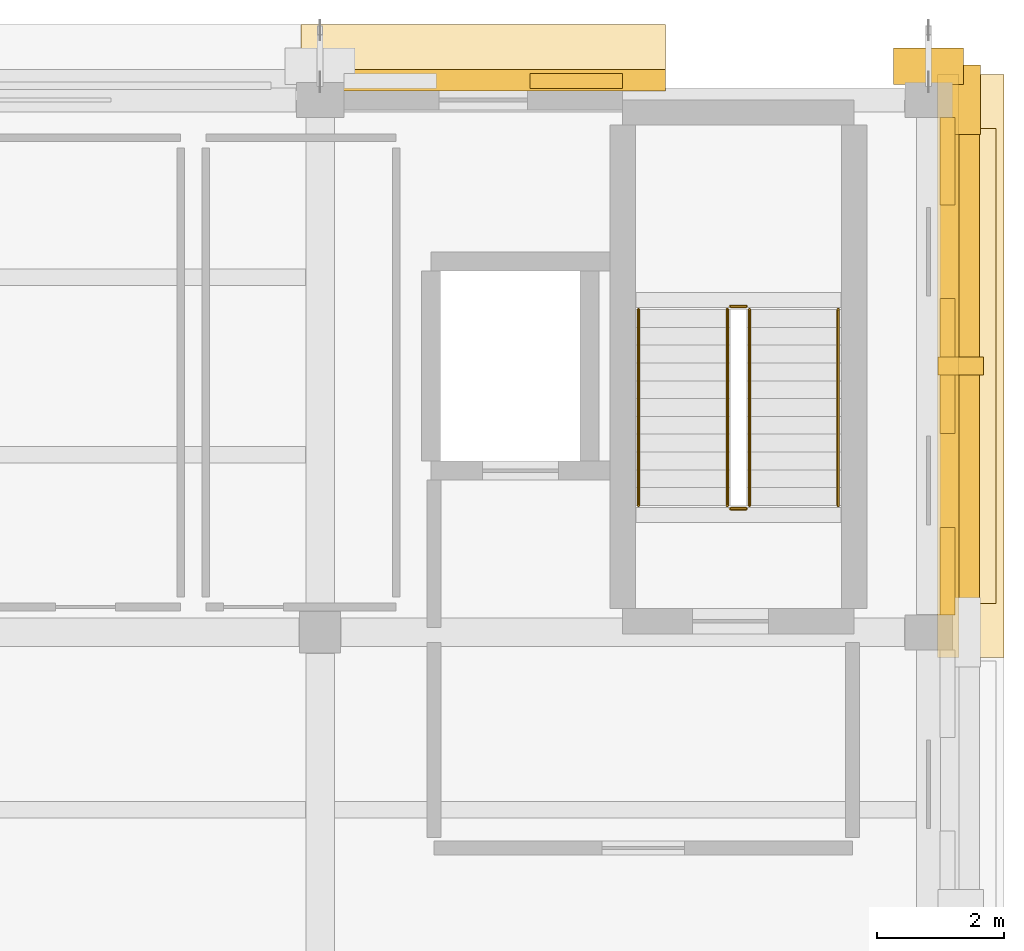
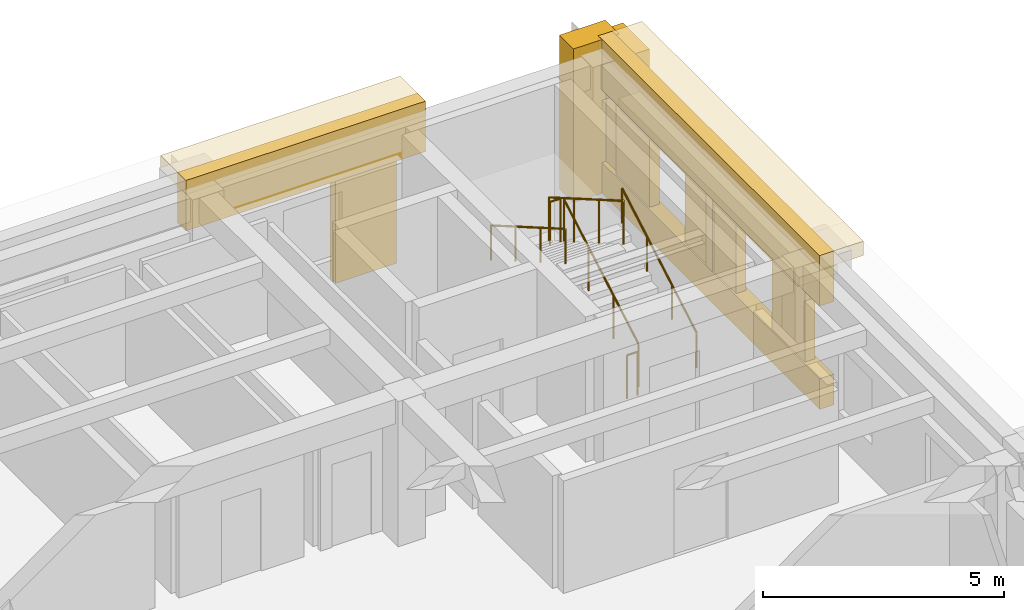
# One storey, part 9 of 9: 13 coverings, 6 railings, 1 shading device.
"""IFC4 building model written with IfcOpenShell, lengths in metres."""

from ifc_helpers import new_model, si_unit, direction, frame, origin, origin_2d, place, context, subcontext, project, spatial, rectangle, circle, extrude, material, layer, layer_set, type_object, element, save


model = new_model("IFC4")

# Units and contexts
model_context = context("Model", 3, precision=1e-05, world=origin(), true_north=direction((0.0, 1.0)))
body_context = subcontext(model_context, "Body", "Model", "MODEL_VIEW")
ifc_project = project(units=[si_unit("LENGTHUNIT", "METRE"), si_unit("AREAUNIT", "SQUARE_METRE"), si_unit("VOLUMEUNIT", "CUBIC_METRE"), si_unit("PLANEANGLEUNIT", "RADIAN"), si_unit("MASSUNIT", "GRAM", prefix="KILO")], contexts=[model_context])

# Site, building, storey
site_placement = place(None, origin())
site = spatial("IfcSite", under=ifc_project, at=site_placement, CompositionType="ELEMENT")
building_placement = place(site_placement, origin())
building = spatial("IfcBuilding", under=site, at=building_placement, Name="Bempovik Park Faculty of Sciences", CompositionType="ELEMENT")
storey_placement = place(building_placement, frame((0.0, 0.0, 46.199951171875)))
storey = spatial("IfcBuildingStorey", under=building, at=storey_placement, Name="L11", CompositionType="ELEMENT", Elevation=46.199951171875)

# Coverings
ifc_material_1 = material(Name="Precast concrete C40/50", Category="concrete")
ifc_layer_1 = layer(ifc_material_1, 0.179931640625)
ifc_layer_set_1 = layer_set([ifc_layer_1], Name="Precast concrete C40/50")
covering_type_1 = type_object("IfcCoveringType", Name="CL-02 Classical Cornice Band 180mm", PredefinedType="CLADDING", material=ifc_layer_set_1)
covering_1_placement = place(storey_placement, frame((108.6650390625, 115.199951171875, 3.5400390625), z_axis=(0.0, 0.0, 1.0), x_axis=(1.0, 0.0, 0.0)))
element("IfcCovering", 1, at=covering_1_placement, inside=storey, type_object=covering_type_1, Name="L11 Classical Projecting Dentil Cornice EW-L11-11316", PredefinedType="CLADDING", context=body_context, shape_type="SweptSolid", body=[
    extrude(rectangle(XDim=1.050048828125, YDim=9.196044921875, at=origin_2d()), origin(), (0.0, 0.0, 1.0), 0.360107421875),
])
covering_2_placement = place(storey_placement, frame((108.60009765625, 115.199951171875, 2.60986328125), z_axis=(0.0, 0.0, 1.0), x_axis=(1.0, 0.0, 0.0)))
element("IfcCovering", 2, at=covering_2_placement, inside=storey, type_object=covering_type_1, Name="L11 Classical Stone Solar Window Hood EW-L11-11316", PredefinedType="CLADDING", context=body_context, shape_type="SweptSolid", body=[
    extrude(rectangle(XDim=0.919921875, YDim=7.49609375, at=origin_2d()), origin(), (0.0, 0.0, 1.0), 0.219970703125),
])
covering_3_placement = place(storey_placement, frame((100.9755859375, 120.06494140625, 3.5400390625), z_axis=(0.0, 0.0, 1.0), x_axis=(1.0, 0.0, 0.0)))
element("IfcCovering", 3, at=covering_3_placement, inside=storey, type_object=covering_type_1, Name="L11 Classical Projecting Dentil Cornice EW-L11-11349", PredefinedType="CLADDING", context=body_context, shape_type="SweptSolid", body=[
    extrude(rectangle(XDim=5.7470703125, YDim=1.050048828125, at=origin_2d()), origin(), (0.0, 0.0, 1.0), 0.360107421875),
])
ifc_material_2 = material(Name="White reconstituted limestone precast C40/50", Category="masonry")
ifc_layer_2 = layer(ifc_material_2, 0.239990234375)
ifc_layer_set_2 = layer_set([ifc_layer_2], Name="White reconstituted limestone precast C40/50")
covering_type_2 = type_object("IfcCoveringType", Name="CL-03 Classical Fluted Limestone Pilaster 240mm", PredefinedType="CLADDING", material=ifc_layer_set_2)
covering_4_placement = place(storey_placement, frame((108.31005859375, 115.199951171875, 2.6201171875), z_axis=(0.0, 0.0, 1.0), x_axis=(1.0, 0.0, 0.0)))
element("IfcCovering", 4, at=covering_4_placement, inside=storey, type_object=covering_type_2, Name="L11 Classical Limestone Spandrel Entablature EW-L11-11316", PredefinedType="CLADDING", context=body_context, shape_type="SweptSolid", body=[
    extrude(rectangle(XDim=0.340087890625, YDim=9.196044921875, at=origin_2d()), origin(), (0.0, 0.0, 1.0), 1.280029296875),
])
covering_5_placement = place(storey_placement, frame((108.31005859375, 115.199951171875, 0.0), z_axis=(0.0, 0.0, 1.0), x_axis=(1.0, 0.0, 0.0)))
element("IfcCovering", 5, at=covering_5_placement, inside=storey, type_object=covering_type_2, Name="L11 Classical Limestone Sill Dado EW-L11-11316", PredefinedType="CLADDING", context=body_context, shape_type="SweptSolid", body=[
    extrude(rectangle(XDim=0.340087890625, YDim=9.196044921875, at=origin_2d()), origin(), (0.0, 0.0, 1.0), 0.780029296875),
])
covering_6_placement = place(storey_placement, frame((108.530029296875, 119.39990234375, 0.0), z_axis=(0.0, 0.0, 1.0), x_axis=(1.0, 0.0, 0.0)))
element("IfcCovering", 6, at=covering_6_placement, inside=storey, type_object=covering_type_2, Name="L11 Classical Fluted Stone Pilaster PIL-BA-L11-1085-1194", PredefinedType="CLADDING", context=body_context, shape_type="SweptSolid", body=[
    extrude(rectangle(XDim=0.580078125, YDim=1.10009765625, at=origin_2d()), origin(), (0.0, 0.0, 1.0), 3.89990234375),
])
covering_7_placement = place(storey_placement, frame((108.300048828125, 111.96630859375, 0.0), z_axis=(0.0, 0.0, 1.0), x_axis=(1.0, 0.0, 0.0)))
element("IfcCovering", 7, at=covering_7_placement, inside=storey, type_object=covering_type_2, Name="L11 White Limestone Wall Cheek EW-L11-11316-0", PredefinedType="CLADDING", context=body_context, shape_type="SweptSolid", body=[
    extrude(rectangle(XDim=0.239990234375, YDim=1.37841796875, at=origin_2d()), origin(), (0.0, 0.0, 1.0), 2.780029296875),
])
covering_8_placement = place(storey_placement, frame((108.300048828125, 115.199951171875, 0.0), z_axis=(0.0, 0.0, 1.0), x_axis=(1.0, 0.0, 0.0)))
element("IfcCovering", 8, at=covering_8_placement, inside=storey, type_object=covering_type_2, Name="L11 White Limestone Wall Cheek EW-L11-11316-2", PredefinedType="CLADDING", context=body_context, shape_type="SweptSolid", body=[
    extrude(rectangle(XDim=0.239990234375, YDim=2.129150390625, at=origin_2d()), origin(), (0.0, 0.0, 1.0), 2.780029296875),
])
covering_9_placement = place(storey_placement, frame((108.300048828125, 118.433837890625, 0.0), z_axis=(0.0, 0.0, 1.0), x_axis=(1.0, 0.0, 0.0)))
element("IfcCovering", 9, at=covering_9_placement, inside=storey, type_object=covering_type_2, Name="L11 White Limestone Wall Cheek EW-L11-11316-4", PredefinedType="CLADDING", context=body_context, shape_type="SweptSolid", body=[
    extrude(rectangle(XDim=0.239990234375, YDim=1.37841796875, at=origin_2d()), origin(), (0.0, 0.0, 1.0), 2.780029296875),
])
covering_10_placement = place(storey_placement, frame((108.510009765625, 115.199951171875, 0.7001953125), z_axis=(0.0, 0.0, 1.0), x_axis=(1.0, 0.0, 0.0)))
element("IfcCovering", 10, at=covering_10_placement, inside=storey, type_object=covering_type_2, Name="L11 Classical Vertical Stone Shading Fin EW-L11-11316", PredefinedType="CLADDING", context=body_context, shape_type="SweptSolid", body=[
    extrude(rectangle(XDim=0.719970703125, YDim=0.280029296875, at=origin_2d()), origin(), (0.0, 0.0, 1.0), 1.949951171875),
])
covering_11_placement = place(storey_placement, frame((100.9755859375, 119.7099609375, 2.6201171875), z_axis=(0.0, 0.0, 1.0), x_axis=(1.0, 0.0, 0.0)))
element("IfcCovering", 11, at=covering_11_placement, inside=storey, type_object=covering_type_2, Name="L11 Classical Limestone Spandrel Entablature EW-L11-11349", PredefinedType="CLADDING", context=body_context, shape_type="SweptSolid", body=[
    extrude(rectangle(XDim=5.7470703125, YDim=0.340087890625, at=origin_2d()), origin(), (0.0, 0.0, 1.0), 1.280029296875),
])
covering_12_placement = place(storey_placement, frame((108.0, 119.929931640625, 0.0), z_axis=(0.0, 0.0, 1.0), x_axis=(1.0, 0.0, 0.0)))
element("IfcCovering", 12, at=covering_12_placement, inside=storey, type_object=covering_type_2, Name="L11 Classical Fluted Stone Pilaster PIL-BA-L11-1080-1199", PredefinedType="CLADDING", context=body_context, shape_type="SweptSolid", body=[
    extrude(rectangle(XDim=1.10009765625, YDim=0.580078125, at=origin_2d()), origin(), (0.0, 0.0, 1.0), 3.89990234375),
])
covering_13_placement = place(storey_placement, frame((102.444580078125, 119.699951171875, 0.0), z_axis=(0.0, 0.0, 1.0), x_axis=(1.0, 0.0, 0.0)))
element("IfcCovering", 13, at=covering_13_placement, inside=storey, type_object=covering_type_2, Name="L11 Stairwell White Limestone Cheek EW-L11-11349-2", PredefinedType="CLADDING", context=body_context, shape_type="SweptSolid", body=[
    extrude(rectangle(XDim=1.45849609375, YDim=0.239990234375, at=origin_2d()), origin(), (0.0, 0.0, 1.0), 2.780029296875),
])

# Railings
ifc_material_3 = material(Name="Anodised architectural bronze")
railing_type_1 = type_object("IfcRailingType", Name="GR-01 Guardrail 1120mm", PredefinedType="GUARDRAIL", material=ifc_material_3)
railing_1_placement = place(storey_placement, frame((105.175048828125, 113.0, 0.16259765625)))
element("IfcRailing", 14, at=railing_1_placement, inside=storey, type_object=railing_type_1, Name="L11 ST-2 Stair Guard 1", PredefinedType="GUARDRAIL", context=body_context, shape_type="SweptSolid", body=[
    extrude(circle(Radius=0.02392578125, at=origin_2d()), frame((0.0, 0.0, 1.09619140625), z_axis=(0.0, 0.865882832026, 0.500246860263), x_axis=(-1.0, 0.0, 0.0)), (0.0, 0.0, 1.0), 3.572998046875),
    extrude(circle(Radius=0.02099609375, at=origin_2d()), origin(), (0.0, 0.0, 1.0), 1.072021484375),
    extrude(circle(Radius=0.02099609375, at=origin_2d()), frame((0.0, 1.03125, 0.595703125)), (0.0, 0.0, 1.0), 1.072021484375),
    extrude(circle(Radius=0.02099609375, at=origin_2d()), frame((0.0, 2.0625, 1.191650390625)), (0.0, 0.0, 1.0), 1.072021484375),
    extrude(circle(Radius=0.02099609375, at=origin_2d()), frame((0.0, 3.09375, 1.787353515625)), (0.0, 0.0, 1.0), 1.072021484375),
])
railing_2_placement = place(storey_placement, frame((105.125, 116.143798828125, 1.949951171875)))
element("IfcRailing", 15, at=railing_2_placement, inside=storey, type_object=railing_type_1, Name="L11 ST-2 Stair Guard 2", PredefinedType="GUARDRAIL", context=body_context, shape_type="SweptSolid", body=[
    extrude(circle(Radius=0.02392578125, at=origin_2d()), frame((0.0, 0.0, 1.09619140625), z_axis=(-1.0, 0.0, 0.0), x_axis=(0.0, -1.0, 0.0)), (0.0, 0.0, 1.0), 0.25),
    extrude(circle(Radius=0.02099609375, at=origin_2d()), origin(), (0.0, 0.0, 1.0), 1.072021484375),
    extrude(circle(Radius=0.02099609375, at=origin_2d()), frame((-0.25, 0.0, 0.0)), (0.0, 0.0, 1.0), 1.072021484375),
])
railing_3_placement = place(storey_placement, frame((104.824951171875, 116.09375, 2.112548828125)))
element("IfcRailing", 16, at=railing_3_placement, inside=storey, type_object=railing_type_1, Name="L11 ST-2 Stair Guard 3", PredefinedType="GUARDRAIL", context=body_context, shape_type="SweptSolid", body=[
    extrude(circle(Radius=0.02392578125, at=origin_2d()), frame((0.0, 0.0, 1.09619140625), z_axis=(0.0, -0.865853233856, 0.500298088565), x_axis=(1.0, 0.0, 0.0)), (0.0, 0.0, 1.0), 3.572998046875),
    extrude(circle(Radius=0.02099609375, at=origin_2d()), origin(), (0.0, 0.0, 1.0), 1.072021484375),
    extrude(circle(Radius=0.02099609375, at=origin_2d()), frame((0.0, -1.03125, 0.595947265625)), (0.0, 0.0, 1.0), 1.072021484375),
    extrude(circle(Radius=0.02099609375, at=origin_2d()), frame((0.0, -2.0625, 1.191650390625)), (0.0, 0.0, 1.0), 1.072021484375),
    extrude(circle(Radius=0.02099609375, at=origin_2d()), frame((0.0, -3.09375, 1.78759765625)), (0.0, 0.0, 1.0), 1.072021484375),
])
railing_4_placement = place(storey_placement, frame((105.125, 112.949951171875, 0.0)))
element("IfcRailing", 17, at=railing_4_placement, inside=storey, type_object=railing_type_1, Name="L11 ST-2 Stair Guard 4", PredefinedType="GUARDRAIL", context=body_context, shape_type="SweptSolid", body=[
    extrude(circle(Radius=0.02392578125, at=origin_2d()), frame((0.0, 0.0, 1.09619140625), z_axis=(-1.0, 0.0, 0.0), x_axis=(0.0, -1.0, 0.0)), (0.0, 0.0, 1.0), 0.25),
    extrude(circle(Radius=0.02099609375, at=origin_2d()), origin(), (0.0, 0.0, 1.0), 1.072021484375),
    extrude(circle(Radius=0.02099609375, at=origin_2d()), frame((-0.25, 0.0, 0.0)), (0.0, 0.0, 1.0), 1.072021484375),
])
railing_type_2 = type_object("IfcRailingType", Name="HR-01 Wall Handrail 900mm", PredefinedType="HANDRAIL", material=ifc_material_3)
railing_5_placement = place(storey_placement, frame((106.574951171875, 113.0, 0.16259765625)))
element("IfcRailing", 18, at=railing_5_placement, inside=storey, type_object=railing_type_2, Name="L11 ST-2 Stair Handrail 1", PredefinedType="HANDRAIL", context=body_context, shape_type="SweptSolid", body=[
    extrude(circle(Radius=0.02392578125, at=origin_2d()), frame((0.0, 0.0, 0.8759765625), z_axis=(0.0, 0.865882832026, 0.500246860263), x_axis=(-1.0, 0.0, 0.0)), (0.0, 0.0, 1.0), 3.572998046875),
    extrude(circle(Radius=0.02099609375, at=origin_2d()), origin(), (0.0, 0.0, 1.0), 0.851806640625),
    extrude(circle(Radius=0.02099609375, at=origin_2d()), frame((0.0, 1.03125, 0.595703125)), (0.0, 0.0, 1.0), 0.851806640625),
    extrude(circle(Radius=0.02099609375, at=origin_2d()), frame((0.0, 2.0625, 1.191650390625)), (0.0, 0.0, 1.0), 0.851806640625),
    extrude(circle(Radius=0.02099609375, at=origin_2d()), frame((0.0, 3.09375, 1.787353515625)), (0.0, 0.0, 1.0), 0.851806640625),
])
railing_6_placement = place(storey_placement, frame((103.425048828125, 116.09375, 2.112548828125)))
element("IfcRailing", 19, at=railing_6_placement, inside=storey, type_object=railing_type_2, Name="L11 ST-2 Stair Handrail 2", PredefinedType="HANDRAIL", context=body_context, shape_type="SweptSolid", body=[
    extrude(circle(Radius=0.02392578125, at=origin_2d()), frame((0.0, 0.0, 0.8759765625), z_axis=(0.0, -0.865853233856, 0.500298088565), x_axis=(1.0, 0.0, 0.0)), (0.0, 0.0, 1.0), 3.572998046875),
    extrude(circle(Radius=0.02099609375, at=origin_2d()), origin(), (0.0, 0.0, 1.0), 0.851806640625),
    extrude(circle(Radius=0.02099609375, at=origin_2d()), frame((0.0, -1.03125, 0.595947265625)), (0.0, 0.0, 1.0), 0.851806640625),
    extrude(circle(Radius=0.02099609375, at=origin_2d()), frame((0.0, -2.0625, 1.191650390625)), (0.0, 0.0, 1.0), 0.851806640625),
    extrude(circle(Radius=0.02099609375, at=origin_2d()), frame((0.0, -3.09375, 1.78759765625)), (0.0, 0.0, 1.0), 0.851806640625),
])

# Shading device
ifc_layer_3 = layer(ifc_material_3, 0.06005859375)
ifc_layer_set_3 = layer_set([ifc_layer_3], Name="Anodised architectural bronze")
shading_device_type = type_object("IfcShadingDeviceType", Name="SH-01 Bronze Brise-Soleil Fin", PredefinedType="USERDEFINED", material=ifc_layer_set_3)
shading_device_placement = place(storey_placement, frame((108.47998046875, 115.199951171875, 2.550048828125), z_axis=(0.0, 0.0, 1.0), x_axis=(1.0, 0.0, 0.0)))
element("IfcShadingDevice", 20, at=shading_device_placement, inside=storey, type_object=shading_device_type, Name="L11 Equatorial Bronze Brise-Soleil EW-L11-11316", ObjectType="BRISE SOLEIL", PredefinedType="USERDEFINED", context=body_context, shape_type="SweptSolid", body=[
    extrude(rectangle(XDim=0.64990234375, YDim=7.345947265625, at=origin_2d()), origin(), (0.0, 0.0, 1.0), 0.06005859375),
])

save(model, "model.ifc")
